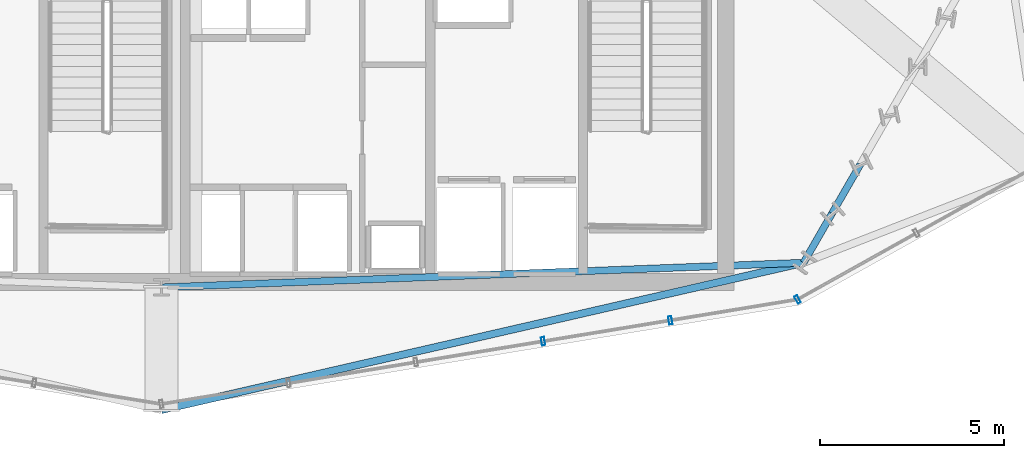
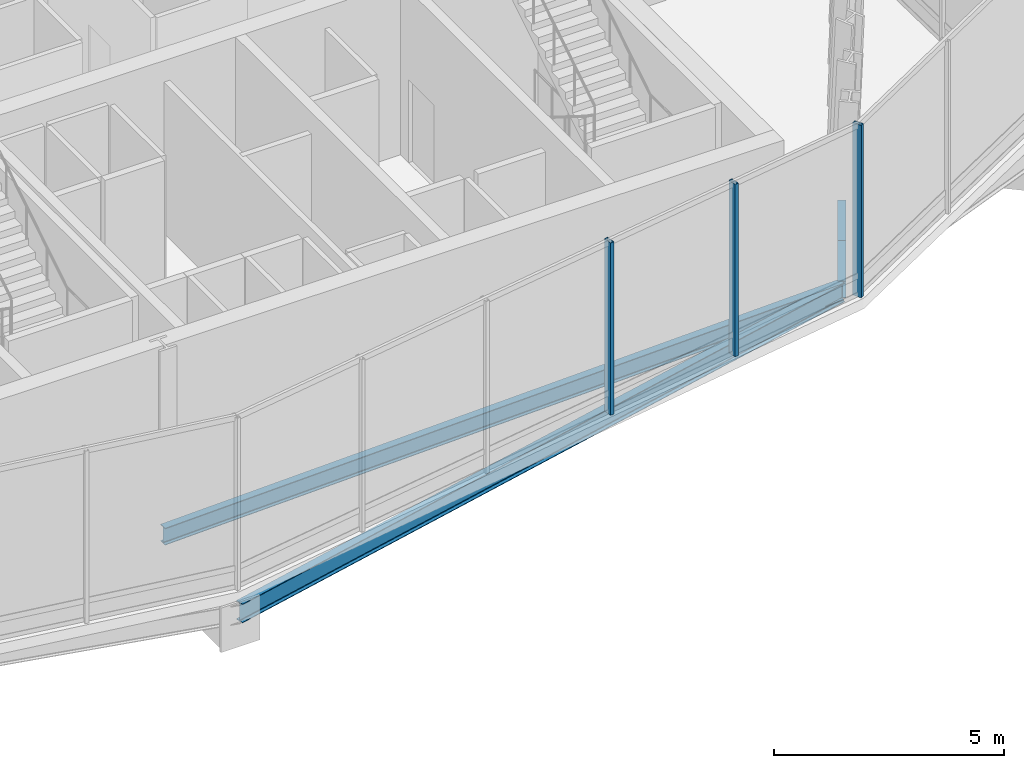
# One storey, part 9 of 26: 4 beams, 3 members, 2 elements without a shape of their own.
"""IFC4 building model written with IfcOpenShell, lengths in metres."""

from ifc_helpers import new_model, si_unit, direction, frame, origin, origin_2d, place, context, subcontext, project, spatial, hollow_rectangle, i_section, extrude, material, layer, layer_set, material_profile, profile_set, type_object, element, aggregate, save


model = new_model("IFC4")

# Units and contexts
model_context = context("Model", 3, precision=1e-05, world=origin(), true_north=direction((0.0, 1.0)))
body_context = subcontext(model_context, "Body", "Model", "MODEL_VIEW")
ifc_project = project(units=[si_unit("LENGTHUNIT", "METRE"), si_unit("AREAUNIT", "SQUARE_METRE"), si_unit("VOLUMEUNIT", "CUBIC_METRE"), si_unit("PLANEANGLEUNIT", "RADIAN"), si_unit("MASSUNIT", "GRAM", prefix="KILO")], contexts=[model_context])

# Site, building, storey
site_placement = place(None, origin())
site = spatial("IfcSite", under=ifc_project, at=site_placement, CompositionType="ELEMENT")
building_placement = place(site_placement, origin())
building = spatial("IfcBuilding", under=site, at=building_placement, Name="Ndaravel Arena Tower", CompositionType="ELEMENT")
storey_placement = place(building_placement, frame((0.0, 0.0, 122.199951171875)))
storey = spatial("IfcBuildingStorey", under=building, at=storey_placement, Name="L28", CompositionType="ELEMENT", Elevation=122.199951171875)

# Beams
ifc_material_1 = material(Name="Steel S355", Category="steel")
ifc_material_profile_1 = material_profile(ifc_material_1, i_section(OverallWidth=0.18994140625, OverallDepth=0.449951171875, WebThickness=0.009521484375, FlangeThickness=0.0146484375, FilletRadius=0.02099609375, at=origin_2d()), Name="IPE 450")
ifc_profile_set_1 = profile_set([ifc_material_profile_1], Name="Steel S355")
beam_type_1 = type_object("IfcBeamType", Name="BM-SPAN-IPE450", PredefinedType="SPANDREL", material=ifc_profile_set_1)
beam_1_placement = place(storey_placement, frame((42.0, 5.47998046875, -0.5048828125), z_axis=(0.999266435486, 0.038296095242, 0.0), x_axis=(-0.038296095242, 0.999266435486, 0.0)))
element("IfcBeam", 1, at=beam_1_placement, inside=storey, type_object=beam_type_1, Name="L28 Perimeter Spandrel Beam SP-01", PredefinedType="SPANDREL", context=body_context, shape_type="SweptSolid", body=[
    extrude(i_section(OverallWidth=0.18994140625, OverallDepth=0.449951171875, WebThickness=0.009521484375, FlangeThickness=0.0146484375, FilletRadius=0.02099609375, at=origin_2d()), origin(), (0.0, 0.0, 1.0), 17.448486328125),
])
beam_2_placement = place(storey_placement, frame((59.435791015625, 6.148193359375, -0.5048828125), z_axis=(0.5000008632, 0.866024905415, 0.0), x_axis=(-0.866024905415, 0.5000008632, 0.0)))
element("IfcBeam", 2, at=beam_2_placement, inside=storey, type_object=beam_type_1, Name="L28 Perimeter Spandrel Beam SP-02", PredefinedType="SPANDREL", context=body_context, shape_type="SweptSolid", body=[
    extrude(i_section(OverallWidth=0.18994140625, OverallDepth=0.449951171875, WebThickness=0.009521484375, FlangeThickness=0.0146484375, FilletRadius=0.02099609375, at=origin_2d()), origin(), (0.0, 0.0, 1.0), 1.54345703125),
])
beam_3_placement = place(storey_placement, frame((60.20751953125, 7.48486328125, -0.5048828125), z_axis=(0.500069364209, 0.865985352636, 0.0), x_axis=(-0.865985352636, 0.500069364209, 0.0)))
element("IfcBeam", 3, at=beam_3_placement, inside=storey, type_object=beam_type_1, Name="L28 Perimeter Spandrel Beam SP-03", PredefinedType="SPANDREL", context=body_context, shape_type="SweptSolid", body=[
    extrude(i_section(OverallWidth=0.18994140625, OverallDepth=0.449951171875, WebThickness=0.009521484375, FlangeThickness=0.0146484375, FilletRadius=0.02099609375, at=origin_2d()), origin(), (0.0, 0.0, 1.0), 1.543212890625),
])
ifc_material_2 = material(Name="Steel S355", Category="steel")
ifc_material_profile_2 = material_profile(ifc_material_2, i_section(OverallWidth=0.199951171875, OverallDepth=0.5, WebThickness=0.01025390625, FlangeThickness=0.01611328125, FilletRadius=0.02099609375, at=origin_2d()), Name="IPE 500")
ifc_profile_set_2 = profile_set([ifc_material_profile_2], Name="Steel S355")
beam_type_2 = type_object("IfcBeamType", Name="BM-SPAN-IPE500", PredefinedType="SPANDREL", material=ifc_profile_set_2)
beam_4_placement = place(storey_placement, frame((42.0, 2.14990234375, -0.530029296875), z_axis=(0.974700797375, 0.223513658633, 0.0), x_axis=(-0.223513658633, 0.974700797375, 0.0)))
element("IfcBeam", 4, at=beam_4_placement, inside=storey, type_object=beam_type_2, Name="L28 Star Facet Edge Beam SEB-2", PredefinedType="SPANDREL", context=body_context, shape_type="SweptSolid", body=[
    extrude(i_section(OverallWidth=0.199951171875, OverallDepth=0.5, WebThickness=0.01025390625, FlangeThickness=0.01611328125, FilletRadius=0.02099609375, at=origin_2d()), origin(), (0.0, 0.0, 1.0), 17.888427734375),
])

# Curtain wall, members
ifc_material_3 = material(Name="Aluminium", Category="aluminium")
ifc_layer = layer(ifc_material_3, 0.179931640625)
ifc_layer_set = layer_set([ifc_layer], Name="Aluminium")
curtain_wall_type = type_object("IfcCurtainWallType", Name="CW-SYS-04", PredefinedType="NOTDEFINED", material=ifc_layer_set)
curtain_wall_1_placement = place(storey_placement, origin())
curtain_wall_1 = element("IfcCurtainWall", 5, at=curtain_wall_1_placement, inside=storey, type_object=curtain_wall_type, Name="L28 Faceted Crystal Curtain Wall CW-L28-E03", PredefinedType="NOTDEFINED")
ifc_material_4 = material(Name="Aluminium", Category="aluminium")
ifc_material_profile_3 = material_profile(ifc_material_4, hollow_rectangle(XDim=0.090087890625, YDim=0.219970703125, WallThickness=0.0048828125, at=origin_2d()), Name="CW MULLION 90x220x5")
ifc_profile_set_3 = profile_set([ifc_material_profile_3], Name="Aluminium")
member_type = type_object("IfcMemberType", Name="MEM-CW-MUL220", PredefinedType="MULLION", material=ifc_profile_set_3)
member_1_placement = place(storey_placement, frame((52.364013671875, 4.016845703125, 0.0), z_axis=(0.0, 0.0, 1.0), x_axis=(0.986739822482, 0.162309958809, 0.0)))
member_1 = element("IfcMember", 6, at=member_1_placement, type_object=member_type, Name="CW-L28-E03 Mullion 03", PredefinedType="MULLION", context=body_context, shape_type="SweptSolid", body=[
    extrude(hollow_rectangle(XDim=0.090087890625, YDim=0.219970703125, WallThickness=0.0048828125, at=origin_2d()), origin(), (0.0, 0.0, 1.0), 4.580078125),
])
member_2_placement = place(storey_placement, frame((55.81884765625, 4.585205078125, 0.0), z_axis=(0.0, 0.0, 1.0), x_axis=(0.986739822482, 0.162309958809, 0.0)))
member_2 = element("IfcMember", 7, at=member_2_placement, type_object=member_type, Name="CW-L28-E03 Mullion 04", PredefinedType="MULLION", context=body_context, shape_type="SweptSolid", body=[
    extrude(hollow_rectangle(XDim=0.090087890625, YDim=0.219970703125, WallThickness=0.0048828125, at=origin_2d()), origin(), (0.0, 0.0, 1.0), 4.580078125),
])
aggregate(curtain_wall_1, [member_1, member_2])

# Curtain wall, member
curtain_wall_2_placement = place(storey_placement, origin())
curtain_wall_2 = element("IfcCurtainWall", 8, at=curtain_wall_2_placement, inside=storey, type_object=curtain_wall_type, Name="L28 Faceted Crystal Curtain Wall CW-L28-E04", PredefinedType="NOTDEFINED")
member_3_placement = place(storey_placement, frame((59.2734375, 5.1533203125, 0.0), z_axis=(0.0, 0.0, 1.0), x_axis=(0.87317740032, 0.487402531354, 0.0)))
member_3 = element("IfcMember", 9, at=member_3_placement, type_object=member_type, Name="CW-L28-E04 Mullion 00", PredefinedType="MULLION", context=body_context, shape_type="SweptSolid", body=[
    extrude(hollow_rectangle(XDim=0.090087890625, YDim=0.219970703125, WallThickness=0.0048828125, at=origin_2d()), origin(), (0.0, 0.0, 1.0), 4.580078125),
])
aggregate(curtain_wall_2, [member_3])

save(model, "model.ifc")
